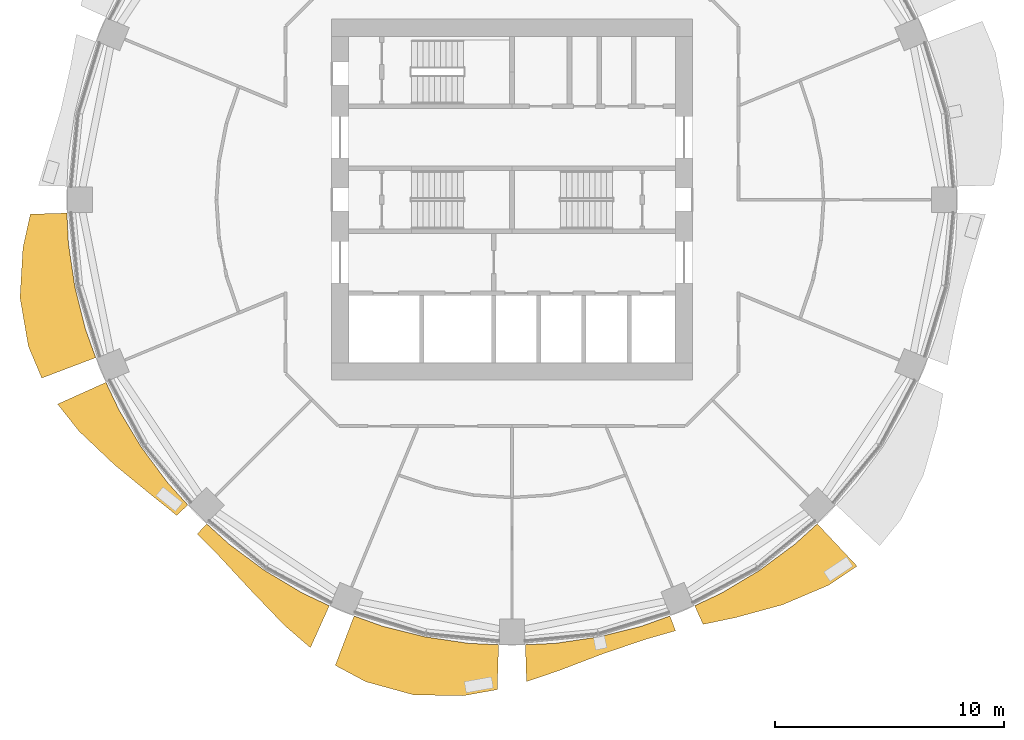
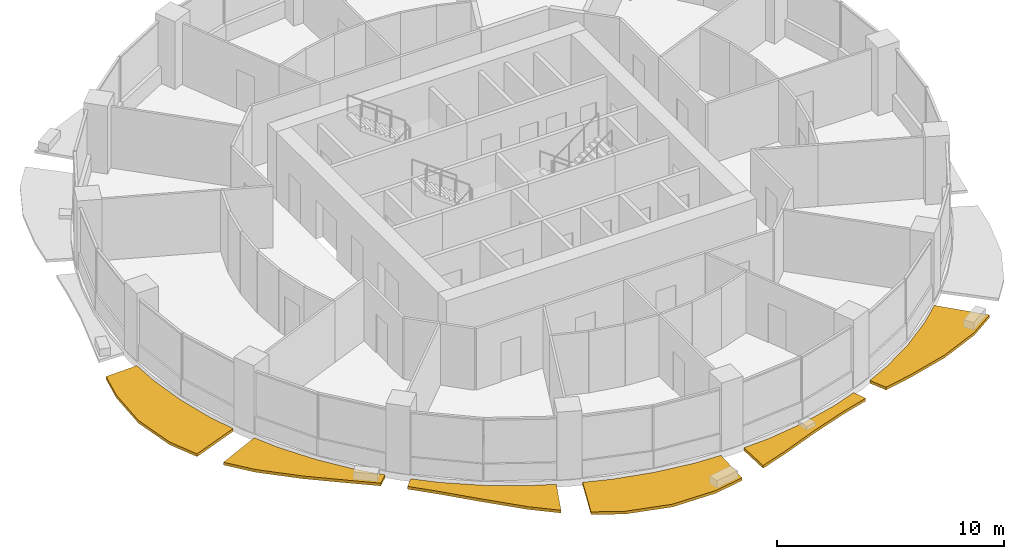
# One storey, part 12 of 15: 6 shading devices.
"""IFC4 building model written with IfcOpenShell, lengths in metres."""

from ifc_helpers import new_model, si_unit, direction, frame, origin, place, context, subcontext, project, spatial, polyline, outline, extrude, material, type_object, element, save


model = new_model("IFC4")

# Units and contexts
model_context = context("Model", 3, precision=1e-05, world=origin(), true_north=direction((0.0, 1.0)))
body_context = subcontext(model_context, "Body", "Model", "MODEL_VIEW")
ifc_project = project(units=[si_unit("LENGTHUNIT", "METRE"), si_unit("AREAUNIT", "SQUARE_METRE"), si_unit("VOLUMEUNIT", "CUBIC_METRE"), si_unit("PLANEANGLEUNIT", "RADIAN"), si_unit("MASSUNIT", "GRAM", prefix="KILO")], contexts=[model_context])

# Site, building, storey
site_placement = place(None, origin())
site = spatial("IfcSite", under=ifc_project, at=site_placement, CompositionType="ELEMENT")
building_placement = place(site_placement, origin())
building = spatial("IfcBuilding", under=site, at=building_placement, Name="Polderwave Tower", CompositionType="ELEMENT")
storey_placement = place(building_placement, frame((0.0, 0.0, 76.39990234375)))
storey = spatial("IfcBuildingStorey", under=building, at=storey_placement, Name="L19", CompositionType="ELEMENT", Elevation=76.39990234375)

# Shading devices
ifc_material = material(Name="Terracotta", Category="masonry")
shading_device_type = type_object("IfcShadingDeviceType", Name="Terracotta sunshade band", PredefinedType="USERDEFINED", material=ifc_material)
shading_device_1_placement = place(storey_placement, frame((0.0, 0.0, -0.349853515625)))
element("IfcShadingDevice", 1, at=shading_device_1_placement, inside=storey, type_object=shading_device_type, Name="Sunshade band L19 9", ObjectType="SUNSHADE", PredefinedType="USERDEFINED", context=body_context, shape_type="SweptSolid", body=[
    extrude(outline(polyline([(-19.411376953125, -0.583740234375), (-19.346435546875, -1.905517578125), (-19.06640625, -3.79248046875), (-18.602783203125, -5.64306640625), (-18.156982421875, -6.88916015625), (-20.5068359375, -7.78076171875), (-21.0908203125, -6.39794921875), (-21.45703125, -4.26806640625), (-21.32958984375, -2.100830078125), (-21.005615234375, -0.631591796875), (-19.411376953125, -0.583740234375)])), origin(), (0.0, 0.0, 1.0), 0.14990234375),
])
shading_device_2_placement = place(storey_placement, frame((0.0, 0.0, -0.349853515625)))
element("IfcShadingDevice", 2, at=shading_device_2_placement, inside=storey, type_object=shading_device_type, Name="Sunshade band L19 10", ObjectType="SUNSHADE", PredefinedType="USERDEFINED", context=body_context, shape_type="SweptSolid", body=[
    extrude(outline(polyline([(-17.710205078125, -7.9677734375), (-17.14453125, -9.1640625), (-16.163818359375, -10.80029296875), (-15.02734375, -12.33251953125), (-14.138671875, -13.31298828125), (-14.62353515625, -13.769775390625), (-15.711669921875, -12.894287109375), (-17.322998046875, -11.574951171875), (-18.88427734375, -10.09375), (-19.817626953125, -8.915771484375), (-17.710205078125, -7.9677734375)])), origin(), (0.0, 0.0, 1.0), 0.14990234375),
])
shading_device_3_placement = place(storey_placement, frame((0.0, 0.0, -0.349853515625)))
element("IfcShadingDevice", 3, at=shading_device_3_placement, inside=storey, type_object=shading_device_type, Name="Sunshade band L19 11", ObjectType="SUNSHADE", PredefinedType="USERDEFINED", context=body_context, shape_type="SweptSolid", body=[
    extrude(outline(polyline([(-13.31298828125, -14.138671875), (-12.33251953125, -15.02734375), (-10.80029296875, -16.163818359375), (-9.1640625, -17.14453125), (-7.9677734375, -17.710205078125), (-8.791259765625, -19.541015625), (-9.92333984375, -18.565185546875), (-11.385498046875, -17.039794921875), (-12.76416015625, -15.55322265625), (-13.724609375, -14.575439453125), (-13.31298828125, -14.138671875)])), origin(), (0.0, 0.0, 1.0), 0.14990234375),
])
shading_device_4_placement = place(storey_placement, frame((0.0, 0.0, -0.349853515625)))
element("IfcShadingDevice", 4, at=shading_device_4_placement, inside=storey, type_object=shading_device_type, Name="Sunshade band L19 12", ObjectType="SUNSHADE", PredefinedType="USERDEFINED", context=body_context, shape_type="SweptSolid", body=[
    extrude(outline(polyline([(-6.88916015625, -18.156982421875), (-5.64306640625, -18.602783203125), (-3.79248046875, -19.06640625), (-1.905517578125, -19.346435546875), (-0.583740234375, -19.411376953125), (-0.642578125, -21.3681640625), (-2.130859375, -21.634521484375), (-4.295654296875, -21.595458984375), (-6.376953125, -21.022216796875), (-7.706298828125, -20.310791015625), (-6.88916015625, -18.156982421875)])), origin(), (0.0, 0.0, 1.0), 0.14990234375),
])
shading_device_5_placement = place(storey_placement, frame((0.0, 0.0, -0.349853515625)))
element("IfcShadingDevice", 5, at=shading_device_5_placement, inside=storey, type_object=shading_device_type, Name="Sunshade band L19 13", ObjectType="SUNSHADE", PredefinedType="USERDEFINED", context=body_context, shape_type="SweptSolid", body=[
    extrude(outline(polyline([(0.583740234375, -19.411376953125), (1.905517578125, -19.346435546875), (3.79248046875, -19.06640625), (5.64306640625, -18.602783203125), (6.88916015625, -18.156982421875), (7.1328125, -18.79931640625), (5.8173828125, -19.177001953125), (3.94140625, -19.814208984375), (2.023681640625, -20.5478515625), (0.632080078125, -21.015625), (0.583740234375, -19.411376953125)])), origin(), (0.0, 0.0, 1.0), 0.14990234375),
])
shading_device_6_placement = place(storey_placement, frame((0.0, 0.0, -0.349853515625)))
element("IfcShadingDevice", 6, at=shading_device_6_placement, inside=storey, type_object=shading_device_type, Name="Sunshade band L19 14", ObjectType="SUNSHADE", PredefinedType="USERDEFINED", context=body_context, shape_type="SweptSolid", body=[
    extrude(outline(polyline([(7.9677734375, -17.710205078125), (9.1640625, -17.14453125), (10.80029296875, -16.163818359375), (12.33251953125, -15.02734375), (13.31298828125, -14.138671875), (15.05029296875, -15.9833984375), (13.801025390625, -16.816650390625), (11.803466796875, -17.665283203125), (9.74267578125, -18.22705078125), (8.33251953125, -18.521484375), (7.9677734375, -17.710205078125)])), origin(), (0.0, 0.0, 1.0), 0.14990234375),
])

save(model, "model.ifc")
